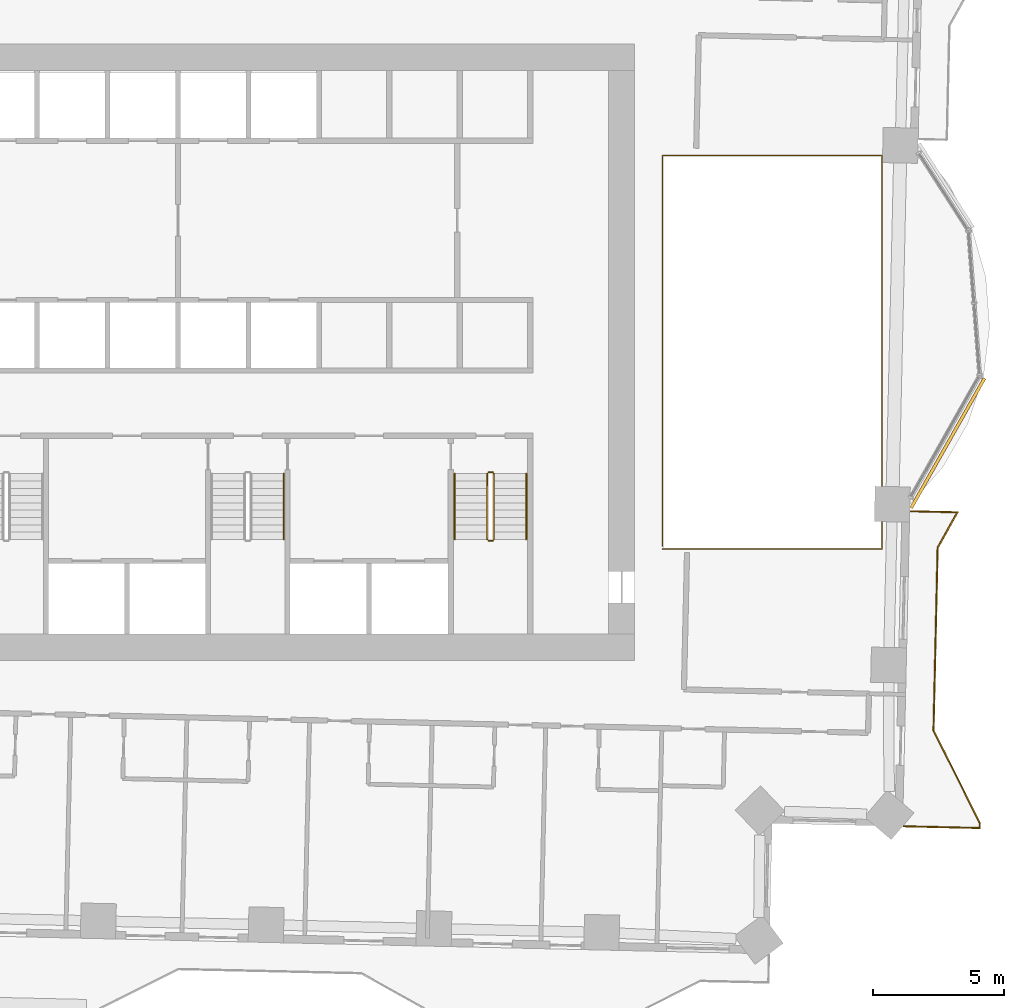
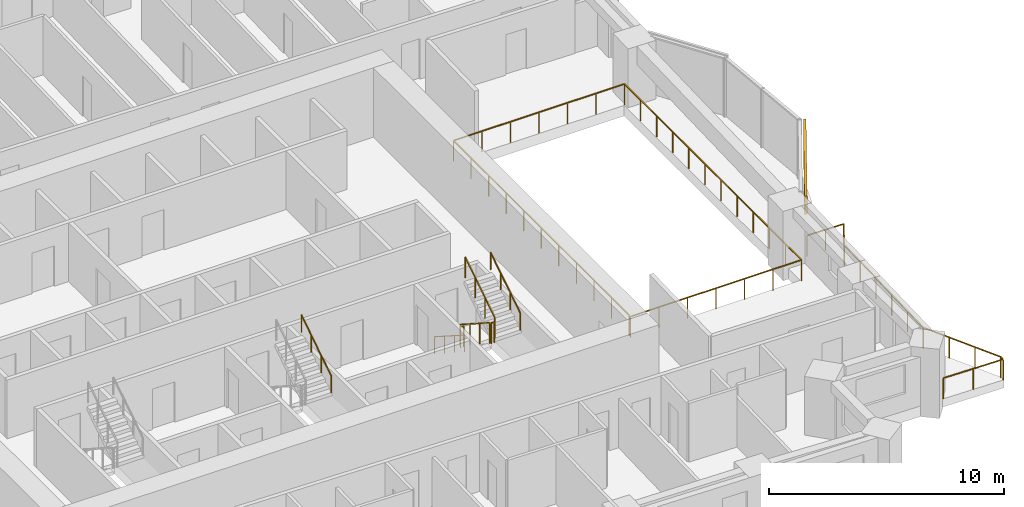
# One storey, part 15 of 16: 9 railings, 1 covering.
"""IFC4 building model written with IfcOpenShell, lengths in metres."""

from ifc_helpers import new_model, si_unit, direction, frame, frame_2d, origin, origin_2d, place, context, subcontext, project, spatial, rectangle, circle, extrude, material, layer, layer_set, type_object, element, save


model = new_model("IFC4")

# Units and contexts
model_context = context("Model", 3, precision=1e-05, world=origin(), true_north=direction((0.0, 1.0)))
body_context = subcontext(model_context, "Body", "Model", "MODEL_VIEW")
ifc_project = project(units=[si_unit("LENGTHUNIT", "METRE"), si_unit("AREAUNIT", "SQUARE_METRE"), si_unit("VOLUMEUNIT", "CUBIC_METRE"), si_unit("PLANEANGLEUNIT", "RADIAN"), si_unit("MASSUNIT", "GRAM", prefix="KILO")], contexts=[model_context])

# Site, building, storey
site_placement = place(None, origin())
site = spatial("IfcSite", under=ifc_project, at=site_placement, CompositionType="ELEMENT")
building_placement = place(site_placement, origin())
building = spatial("IfcBuilding", under=site, at=building_placement, Name="Mangrove Gate Tower", CompositionType="ELEMENT")
storey_placement = place(building_placement, frame((0.0, 0.0, 116.300048828125)))
storey = spatial("IfcBuildingStorey", under=building, at=storey_placement, Name="L29", CompositionType="ELEMENT", Elevation=116.300048828125)

# Railings
ifc_material_1 = material(Name="Stainless steel grade 316 with laminated glass infill", Category="steel")
railing_type_1 = type_object("IfcRailingType", Name="Balcony guard 1100", PredefinedType="GUARDRAIL", material=ifc_material_1)
railing_1_placement = place(storey_placement, frame((25.10107421875, -18.160888671875, 0.0)))
element("IfcRailing", 1, at=railing_1_placement, inside=storey, type_object=railing_type_1, Name="GUARD L29 E1", PredefinedType="GUARDRAIL", context=body_context, shape_type="SweptSolid", body=[
    extrude(rectangle(XDim=0.048095703125, YDim=0.048095703125, at=origin_2d()), frame((0.0, 0.0, 1.076171875), z_axis=(0.999741618984, -0.02273093202, 0.0), x_axis=(0.02273093202, 0.999741618984, 0.0)), (0.0, 0.0, 1.0), 2.91064453125),
    extrude(rectangle(XDim=0.048095703125, YDim=0.048095703125, at=origin_2d()), frame((2.909912109375, -0.066162109375, 1.076171875), z_axis=(0.019532292583, 0.999809226576, 0.0), x_axis=(-0.999809226576, 0.019532292583, 0.0)), (0.0, 0.0, 1.0), 0.199951171875),
    extrude(rectangle(XDim=0.048095703125, YDim=0.048095703125, at=origin_2d()), frame((2.913818359375, 0.1337890625, 1.076171875), z_axis=(-0.447065574839, 0.894501186021, 0.0), x_axis=(-0.894501186021, -0.447065574839, 0.0)), (0.0, 0.0, 1.0), 3.958740234375),
    extrude(rectangle(XDim=0.048095703125, YDim=0.048095703125, at=origin_2d()), frame((1.14404296875, 3.6748046875, 1.076171875), z_axis=(0.022705559911, 0.999742195543, 0.0), x_axis=(-0.999742195543, 0.022705559911, 0.0)), (0.0, 0.0, 1.0), 6.999755859375),
    extrude(rectangle(XDim=0.048095703125, YDim=0.048095703125, at=origin_2d()), frame((1.302978515625, 10.6728515625, 1.076171875), z_axis=(0.487374509101, 0.873193041588, 0.0), x_axis=(-0.873193041588, 0.487374509101, 0.0)), (0.0, 0.0, 1.0), 1.555419921875),
    extrude(rectangle(XDim=0.048095703125, YDim=0.048095703125, at=origin_2d()), frame((2.06103515625, 12.031005859375, 1.076171875), z_axis=(-0.999739857511, 0.022808272706, 0.0), x_axis=(-0.022808272706, -0.999739857511, 0.0)), (0.0, 0.0, 1.0), 1.78759765625),
    extrude(rectangle(XDim=0.0419921875, YDim=0.0419921875, at=origin_2d()), origin(), (0.0, 0.0, 1.0), 1.052001953125),
    extrude(rectangle(XDim=0.0419921875, YDim=0.0419921875, at=origin_2d()), frame((1.455078125, -0.033203125, 0.0)), (0.0, 0.0, 1.0), 1.052001953125),
    extrude(rectangle(XDim=0.0419921875, YDim=0.0419921875, at=origin_2d()), frame((2.909912109375, -0.066162109375, 0.0)), (0.0, 0.0, 1.0), 1.052001953125),
    extrude(rectangle(XDim=0.0419921875, YDim=0.0419921875, at=origin_2d()), frame((2.913818359375, 0.1337890625, 0.0)), (0.0, 0.0, 1.0), 1.052001953125),
    extrude(rectangle(XDim=0.0419921875, YDim=0.0419921875, at=origin_2d()), frame((2.323974609375, 1.314208984375, 0.0)), (0.0, 0.0, 1.0), 1.052001953125),
    extrude(rectangle(XDim=0.0419921875, YDim=0.0419921875, at=origin_2d()), frame((1.73388671875, 2.494384765625, 0.0)), (0.0, 0.0, 1.0), 1.052001953125),
    extrude(rectangle(XDim=0.0419921875, YDim=0.0419921875, at=origin_2d()), frame((1.14404296875, 3.6748046875, 0.0)), (0.0, 0.0, 1.0), 1.052001953125),
    extrude(rectangle(XDim=0.0419921875, YDim=0.0419921875, at=origin_2d()), frame((1.17578125, 5.074462890625, 0.0)), (0.0, 0.0, 1.0), 1.052001953125),
    extrude(rectangle(XDim=0.0419921875, YDim=0.0419921875, at=origin_2d()), frame((1.20751953125, 6.47412109375, 0.0)), (0.0, 0.0, 1.0), 1.052001953125),
    extrude(rectangle(XDim=0.0419921875, YDim=0.0419921875, at=origin_2d()), frame((1.239501953125, 7.87353515625, 0.0)), (0.0, 0.0, 1.0), 1.052001953125),
    extrude(rectangle(XDim=0.0419921875, YDim=0.0419921875, at=origin_2d()), frame((1.271240234375, 9.273193359375, 0.0)), (0.0, 0.0, 1.0), 1.052001953125),
    extrude(rectangle(XDim=0.0419921875, YDim=0.0419921875, at=origin_2d()), frame((1.302978515625, 10.6728515625, 0.0)), (0.0, 0.0, 1.0), 1.052001953125),
    extrude(rectangle(XDim=0.0419921875, YDim=0.0419921875, at=origin_2d()), frame((1.68212890625, 11.35205078125, 0.0)), (0.0, 0.0, 1.0), 1.052001953125),
    extrude(rectangle(XDim=0.0419921875, YDim=0.0419921875, at=origin_2d()), frame((2.06103515625, 12.031005859375, 0.0)), (0.0, 0.0, 1.0), 1.052001953125),
    extrude(rectangle(XDim=0.0419921875, YDim=0.0419921875, at=origin_2d()), frame((1.16748046875, 12.05126953125, 0.0)), (0.0, 0.0, 1.0), 1.052001953125),
    extrude(rectangle(XDim=0.0419921875, YDim=0.0419921875, at=origin_2d()), frame((0.27392578125, 12.07177734375, 0.0)), (0.0, 0.0, 1.0), 1.052001953125),
])
railing_2_placement = place(storey_placement, frame((15.860107421875, -7.5400390625, 0.0)))
element("IfcRailing", 2, at=railing_2_placement, inside=storey, type_object=railing_type_1, Name="GUARD L29 atrium", PredefinedType="GUARDRAIL", context=body_context, shape_type="SweptSolid", body=[
    extrude(rectangle(XDim=0.048095703125, YDim=0.048095703125, at=origin_2d()), frame((0.0, 0.0, 1.076171875), z_axis=(1.0, 0.0, 0.0), x_axis=(0.0, 1.0, 0.0)), (0.0, 0.0, 1.0), 8.406982421875),
    extrude(rectangle(XDim=0.048095703125, YDim=0.048095703125, at=origin_2d()), frame((8.406982421875, 0.0, 1.076171875), z_axis=(0.0, 1.0, 0.0), x_axis=(-1.0, 0.0, 0.0)), (0.0, 0.0, 1.0), 15.080078125),
    extrude(rectangle(XDim=0.048095703125, YDim=0.048095703125, at=origin_2d()), frame((8.406982421875, 15.080078125, 1.076171875), z_axis=(-1.0, 0.0, 0.0), x_axis=(0.0, -1.0, 0.0)), (0.0, 0.0, 1.0), 8.406982421875),
    extrude(rectangle(XDim=0.048095703125, YDim=0.048095703125, at=origin_2d()), frame((0.0, 15.080078125, 1.076171875), z_axis=(0.0, -1.0, 0.0), x_axis=(1.0, 0.0, 0.0)), (0.0, 0.0, 1.0), 14.9599609375),
    extrude(rectangle(XDim=0.0419921875, YDim=0.0419921875, at=origin_2d()), origin(), (0.0, 0.0, 1.0), 1.052001953125),
    extrude(rectangle(XDim=0.0419921875, YDim=0.0419921875, at=origin_2d()), frame((1.401123046875, 0.0, 0.0)), (0.0, 0.0, 1.0), 1.052001953125),
    extrude(rectangle(XDim=0.0419921875, YDim=0.0419921875, at=origin_2d()), frame((2.80224609375, 0.0, 0.0)), (0.0, 0.0, 1.0), 1.052001953125),
    extrude(rectangle(XDim=0.0419921875, YDim=0.0419921875, at=origin_2d()), frame((4.20361328125, 0.0, 0.0)), (0.0, 0.0, 1.0), 1.052001953125),
    extrude(rectangle(XDim=0.0419921875, YDim=0.0419921875, at=origin_2d()), frame((5.604736328125, 0.0, 0.0)), (0.0, 0.0, 1.0), 1.052001953125),
    extrude(rectangle(XDim=0.0419921875, YDim=0.0419921875, at=origin_2d()), frame((7.005859375, 0.0, 0.0)), (0.0, 0.0, 1.0), 1.052001953125),
    extrude(rectangle(XDim=0.0419921875, YDim=0.0419921875, at=origin_2d()), frame((8.406982421875, 0.0, 0.0)), (0.0, 0.0, 1.0), 1.052001953125),
    extrude(rectangle(XDim=0.0419921875, YDim=0.0419921875, at=origin_2d()), frame((8.406982421875, 1.370849609375, 0.0)), (0.0, 0.0, 1.0), 1.052001953125),
    extrude(rectangle(XDim=0.0419921875, YDim=0.0419921875, at=origin_2d()), frame((8.406982421875, 2.741943359375, 0.0)), (0.0, 0.0, 1.0), 1.052001953125),
    extrude(rectangle(XDim=0.0419921875, YDim=0.0419921875, at=origin_2d()), frame((8.406982421875, 4.11279296875, 0.0)), (0.0, 0.0, 1.0), 1.052001953125),
    extrude(rectangle(XDim=0.0419921875, YDim=0.0419921875, at=origin_2d()), frame((8.406982421875, 5.483642578125, 0.0)), (0.0, 0.0, 1.0), 1.052001953125),
    extrude(rectangle(XDim=0.0419921875, YDim=0.0419921875, at=origin_2d()), frame((8.406982421875, 6.8544921875, 0.0)), (0.0, 0.0, 1.0), 1.052001953125),
    extrude(rectangle(XDim=0.0419921875, YDim=0.0419921875, at=origin_2d()), frame((8.406982421875, 8.2255859375, 0.0)), (0.0, 0.0, 1.0), 1.052001953125),
    extrude(rectangle(XDim=0.0419921875, YDim=0.0419921875, at=origin_2d()), frame((8.406982421875, 9.596435546875, 0.0)), (0.0, 0.0, 1.0), 1.052001953125),
    extrude(rectangle(XDim=0.0419921875, YDim=0.0419921875, at=origin_2d()), frame((8.406982421875, 10.96728515625, 0.0)), (0.0, 0.0, 1.0), 1.052001953125),
    extrude(rectangle(XDim=0.0419921875, YDim=0.0419921875, at=origin_2d()), frame((8.406982421875, 12.338134765625, 0.0)), (0.0, 0.0, 1.0), 1.052001953125),
    extrude(rectangle(XDim=0.0419921875, YDim=0.0419921875, at=origin_2d()), frame((8.406982421875, 13.709228515625, 0.0)), (0.0, 0.0, 1.0), 1.052001953125),
    extrude(rectangle(XDim=0.0419921875, YDim=0.0419921875, at=origin_2d()), frame((8.406982421875, 15.080078125, 0.0)), (0.0, 0.0, 1.0), 1.052001953125),
    extrude(rectangle(XDim=0.0419921875, YDim=0.0419921875, at=origin_2d()), frame((7.005859375, 15.080078125, 0.0)), (0.0, 0.0, 1.0), 1.052001953125),
    extrude(rectangle(XDim=0.0419921875, YDim=0.0419921875, at=origin_2d()), frame((5.604736328125, 15.080078125, 0.0)), (0.0, 0.0, 1.0), 1.052001953125),
    extrude(rectangle(XDim=0.0419921875, YDim=0.0419921875, at=origin_2d()), frame((4.20361328125, 15.080078125, 0.0)), (0.0, 0.0, 1.0), 1.052001953125),
    extrude(rectangle(XDim=0.0419921875, YDim=0.0419921875, at=origin_2d()), frame((2.80224609375, 15.080078125, 0.0)), (0.0, 0.0, 1.0), 1.052001953125),
    extrude(rectangle(XDim=0.0419921875, YDim=0.0419921875, at=origin_2d()), frame((1.401123046875, 15.080078125, 0.0)), (0.0, 0.0, 1.0), 1.052001953125),
    extrude(rectangle(XDim=0.0419921875, YDim=0.0419921875, at=origin_2d()), frame((0.0, 15.080078125, 0.0)), (0.0, 0.0, 1.0), 1.052001953125),
    extrude(rectangle(XDim=0.0419921875, YDim=0.0419921875, at=origin_2d()), frame((0.0, 13.583984375, 0.0)), (0.0, 0.0, 1.0), 1.052001953125),
    extrude(rectangle(XDim=0.0419921875, YDim=0.0419921875, at=origin_2d()), frame((0.0, 12.088134765625, 0.0)), (0.0, 0.0, 1.0), 1.052001953125),
    extrude(rectangle(XDim=0.0419921875, YDim=0.0419921875, at=origin_2d()), frame((0.0, 10.592041015625, 0.0)), (0.0, 0.0, 1.0), 1.052001953125),
    extrude(rectangle(XDim=0.0419921875, YDim=0.0419921875, at=origin_2d()), frame((0.0, 9.09619140625, 0.0)), (0.0, 0.0, 1.0), 1.052001953125),
    extrude(rectangle(XDim=0.0419921875, YDim=0.0419921875, at=origin_2d()), frame((0.0, 7.60009765625, 0.0)), (0.0, 0.0, 1.0), 1.052001953125),
    extrude(rectangle(XDim=0.0419921875, YDim=0.0419921875, at=origin_2d()), frame((0.0, 6.10400390625, 0.0)), (0.0, 0.0, 1.0), 1.052001953125),
    extrude(rectangle(XDim=0.0419921875, YDim=0.0419921875, at=origin_2d()), frame((0.0, 4.608154296875, 0.0)), (0.0, 0.0, 1.0), 1.052001953125),
    extrude(rectangle(XDim=0.0419921875, YDim=0.0419921875, at=origin_2d()), frame((0.0, 3.112060546875, 0.0)), (0.0, 0.0, 1.0), 1.052001953125),
    extrude(rectangle(XDim=0.0419921875, YDim=0.0419921875, at=origin_2d()), frame((0.0, 1.6162109375, 0.0)), (0.0, 0.0, 1.0), 1.052001953125),
    extrude(rectangle(XDim=0.0419921875, YDim=0.0419921875, at=origin_2d()), frame((0.0, 0.1201171875, 0.0)), (0.0, 0.0, 1.0), 1.052001953125),
])
ifc_material_2 = material(Name="Stainless steel 316", Category="steel")
railing_type_2 = type_object("IfcRailingType", Name="Core stair guard 1100", PredefinedType="GUARDRAIL", material=ifc_material_2)
railing_3_placement = place(storey_placement, frame((9.14990234375, -4.64990234375, 0.179931640625)))
element("IfcRailing", 3, at=railing_3_placement, inside=storey, type_object=railing_type_2, Name="L29 ST3 stair guard 1", PredefinedType="GUARDRAIL", context=body_context, shape_type="SweptSolid", body=[
    extrude(rectangle(XDim=0.048095703125, YDim=0.048095703125, at=origin_2d()), frame((0.0, 0.0, 1.076171875), z_axis=(0.0, -0.841162588446, 0.540782303519), x_axis=(1.0, 0.0, 0.0)), (0.0, 0.0, 1.0), 2.995849609375),
    extrude(rectangle(XDim=0.0419921875, YDim=0.0419921875, at=origin_2d()), origin(), (0.0, 0.0, 1.0), 1.052001953125),
    extrude(rectangle(XDim=0.0419921875, YDim=0.0419921875, at=origin_2d()), frame((0.0, -0.840087890625, 0.5400390625)), (0.0, 0.0, 1.0), 1.052001953125),
    extrude(rectangle(XDim=0.0419921875, YDim=0.0419921875, at=origin_2d()), frame((0.0, -1.679931640625, 1.080078125)), (0.0, 0.0, 1.0), 1.052001953125),
    extrude(rectangle(XDim=0.0419921875, YDim=0.0419921875, at=origin_2d()), frame((0.0, -2.52001953125, 1.6201171875)), (0.0, 0.0, 1.0), 1.052001953125),
])
railing_4_placement = place(storey_placement, frame((9.199951171875, -7.219970703125, 1.800048828125)))
element("IfcRailing", 4, at=railing_4_placement, inside=storey, type_object=railing_type_2, Name="L29 ST3 stair guard 2", PredefinedType="GUARDRAIL", context=body_context, shape_type="SweptSolid", body=[
    extrude(rectangle(XDim=0.048095703125, YDim=0.048095703125, at=origin_2d()), frame((0.0, 0.0, 1.076171875), z_axis=(1.0, 0.0, 0.0), x_axis=(0.0, 1.0, 0.0)), (0.0, 0.0, 1.0), 0.150146484375),
    extrude(rectangle(XDim=0.0419921875, YDim=0.0419921875, at=origin_2d()), origin(), (0.0, 0.0, 1.0), 1.052001953125),
    extrude(rectangle(XDim=0.0419921875, YDim=0.0419921875, at=origin_2d()), frame((0.150146484375, 0.0, 0.0)), (0.0, 0.0, 1.0), 1.052001953125),
])
railing_5_placement = place(storey_placement, frame((9.39990234375, -7.169921875, 1.97998046875)))
element("IfcRailing", 5, at=railing_5_placement, inside=storey, type_object=railing_type_2, Name="L29 ST3 stair guard 3", PredefinedType="GUARDRAIL", context=body_context, shape_type="SweptSolid", body=[
    extrude(rectangle(XDim=0.048095703125, YDim=0.048095703125, at=origin_2d()), frame((0.0, 0.0, 1.076171875), z_axis=(0.0, 0.841199657755, 0.540724639528), x_axis=(-1.0, 0.0, 0.0)), (0.0, 0.0, 1.0), 2.995849609375),
    extrude(rectangle(XDim=0.0419921875, YDim=0.0419921875, at=origin_2d()), origin(), (0.0, 0.0, 1.0), 1.052001953125),
    extrude(rectangle(XDim=0.0419921875, YDim=0.0419921875, at=origin_2d()), frame((0.0, 0.840087890625, 0.5400390625)), (0.0, 0.0, 1.0), 1.052001953125),
    extrude(rectangle(XDim=0.0419921875, YDim=0.0419921875, at=origin_2d()), frame((0.0, 1.679931640625, 1.079833984375)), (0.0, 0.0, 1.0), 1.052001953125),
    extrude(rectangle(XDim=0.0419921875, YDim=0.0419921875, at=origin_2d()), frame((0.0, 2.52001953125, 1.619873046875)), (0.0, 0.0, 1.0), 1.052001953125),
])
railing_6_placement = place(storey_placement, frame((9.199951171875, -4.60009765625, 0.0)))
element("IfcRailing", 6, at=railing_6_placement, inside=storey, type_object=railing_type_2, Name="L29 ST3 stair guard 4", PredefinedType="GUARDRAIL", context=body_context, shape_type="SweptSolid", body=[
    extrude(rectangle(XDim=0.048095703125, YDim=0.048095703125, at=origin_2d()), frame((0.0, 0.0, 1.076171875), z_axis=(1.0, 0.0, 0.0), x_axis=(0.0, 1.0, 0.0)), (0.0, 0.0, 1.0), 0.150146484375),
    extrude(rectangle(XDim=0.0419921875, YDim=0.0419921875, at=origin_2d()), origin(), (0.0, 0.0, 1.0), 1.052001953125),
    extrude(rectangle(XDim=0.0419921875, YDim=0.0419921875, at=origin_2d()), frame((0.150146484375, 0.0, 0.0)), (0.0, 0.0, 1.0), 1.052001953125),
])
ifc_material_3 = material(Name="Stainless steel 316", Category="steel")
railing_type_3 = type_object("IfcRailingType", Name="Core stair handrail 900", PredefinedType="HANDRAIL", material=ifc_material_3)
railing_7_placement = place(storey_placement, frame((1.35009765625, -7.169921875, 1.97998046875)))
element("IfcRailing", 7, at=railing_7_placement, inside=storey, type_object=railing_type_3, Name="L29 ST2 stair handrail 2", PredefinedType="HANDRAIL", context=body_context, shape_type="SweptSolid", body=[
    extrude(circle(Radius=0.02392578125, at=origin_2d()), frame((0.0, 0.0, 0.8759765625), z_axis=(0.0, 0.841199657755, 0.540724639528), x_axis=(-1.0, 0.0, 0.0)), (0.0, 0.0, 1.0), 2.995849609375),
    extrude(circle(Radius=0.02099609375, at=origin_2d()), origin(), (0.0, 0.0, 1.0), 0.851806640625),
    extrude(circle(Radius=0.02099609375, at=origin_2d()), frame((0.0, 0.840087890625, 0.5400390625)), (0.0, 0.0, 1.0), 0.851806640625),
    extrude(circle(Radius=0.02099609375, at=origin_2d()), frame((0.0, 1.679931640625, 1.079833984375)), (0.0, 0.0, 1.0), 0.851806640625),
    extrude(circle(Radius=0.02099609375, at=origin_2d()), frame((0.0, 2.52001953125, 1.619873046875)), (0.0, 0.0, 1.0), 0.851806640625),
])
railing_8_placement = place(storey_placement, frame((7.89990234375, -4.64990234375, 0.179931640625)))
element("IfcRailing", 8, at=railing_8_placement, inside=storey, type_object=railing_type_3, Name="L29 ST3 stair handrail 1", PredefinedType="HANDRAIL", context=body_context, shape_type="SweptSolid", body=[
    extrude(circle(Radius=0.02392578125, at=origin_2d()), frame((0.0, 0.0, 0.8759765625), z_axis=(0.0, -0.841162588446, 0.540782303519), x_axis=(1.0, 0.0, 0.0)), (0.0, 0.0, 1.0), 2.995849609375),
    extrude(circle(Radius=0.02099609375, at=origin_2d()), origin(), (0.0, 0.0, 1.0), 0.851806640625),
    extrude(circle(Radius=0.02099609375, at=origin_2d()), frame((0.0, -0.840087890625, 0.5400390625)), (0.0, 0.0, 1.0), 0.851806640625),
    extrude(circle(Radius=0.02099609375, at=origin_2d()), frame((0.0, -1.679931640625, 1.080078125)), (0.0, 0.0, 1.0), 0.851806640625),
    extrude(circle(Radius=0.02099609375, at=origin_2d()), frame((0.0, -2.52001953125, 1.6201171875)), (0.0, 0.0, 1.0), 0.851806640625),
])
railing_9_placement = place(storey_placement, frame((10.64990234375, -7.169921875, 1.97998046875)))
element("IfcRailing", 9, at=railing_9_placement, inside=storey, type_object=railing_type_3, Name="L29 ST3 stair handrail 2", PredefinedType="HANDRAIL", context=body_context, shape_type="SweptSolid", body=[
    extrude(circle(Radius=0.02392578125, at=origin_2d()), frame((0.0, 0.0, 0.8759765625), z_axis=(0.0, 0.841199657755, 0.540724639528), x_axis=(-1.0, 0.0, 0.0)), (0.0, 0.0, 1.0), 2.995849609375),
    extrude(circle(Radius=0.02099609375, at=origin_2d()), origin(), (0.0, 0.0, 1.0), 0.851806640625),
    extrude(circle(Radius=0.02099609375, at=origin_2d()), frame((0.0, 0.840087890625, 0.5400390625)), (0.0, 0.0, 1.0), 0.851806640625),
    extrude(circle(Radius=0.02099609375, at=origin_2d()), frame((0.0, 1.679931640625, 1.079833984375)), (0.0, 0.0, 1.0), 0.851806640625),
    extrude(circle(Radius=0.02099609375, at=origin_2d()), frame((0.0, 2.52001953125, 1.619873046875)), (0.0, 0.0, 1.0), 0.851806640625),
])

# Covering
ifc_material_4 = material(Name="Limestone", Category="masonry")
ifc_layer_1 = layer(ifc_material_4, 0.0400390625, Name="Limestone cladding")
ifc_material_5 = material(Name="Stainless steel anchors and cavity", Category="steel")
ifc_layer_2 = layer(ifc_material_5, 0.080078125, Name="Fixing cavity")
ifc_layer_set = layer_set([ifc_layer_1, ifc_layer_2], Name="Joint fascia cladding 120")
covering_type = type_object("IfcCoveringType", Name="Joint fascia cladding 120", PredefinedType="CLADDING", material=ifc_layer_set)
covering_placement = place(storey_placement, frame((25.38818359375, -5.96484375, 2.099853515625), z_axis=(0.0, 0.0, 1.0), x_axis=(0.492461862622, 0.870334024305, 0.0)))
element("IfcCovering", 10, at=covering_placement, inside=storey, type_object=covering_type, Name="STONE FASCIA L29 E1.L1", PredefinedType="CLADDING", context=body_context, shape_type="SweptSolid", body=[
    extrude(rectangle(XDim=5.70556640625, YDim=0.1201171875, at=frame_2d((2.852783203125, 0.0))), origin(), (0.0, 0.0, 1.0), 0.9501953125),
])

save(model, "model.ifc")
